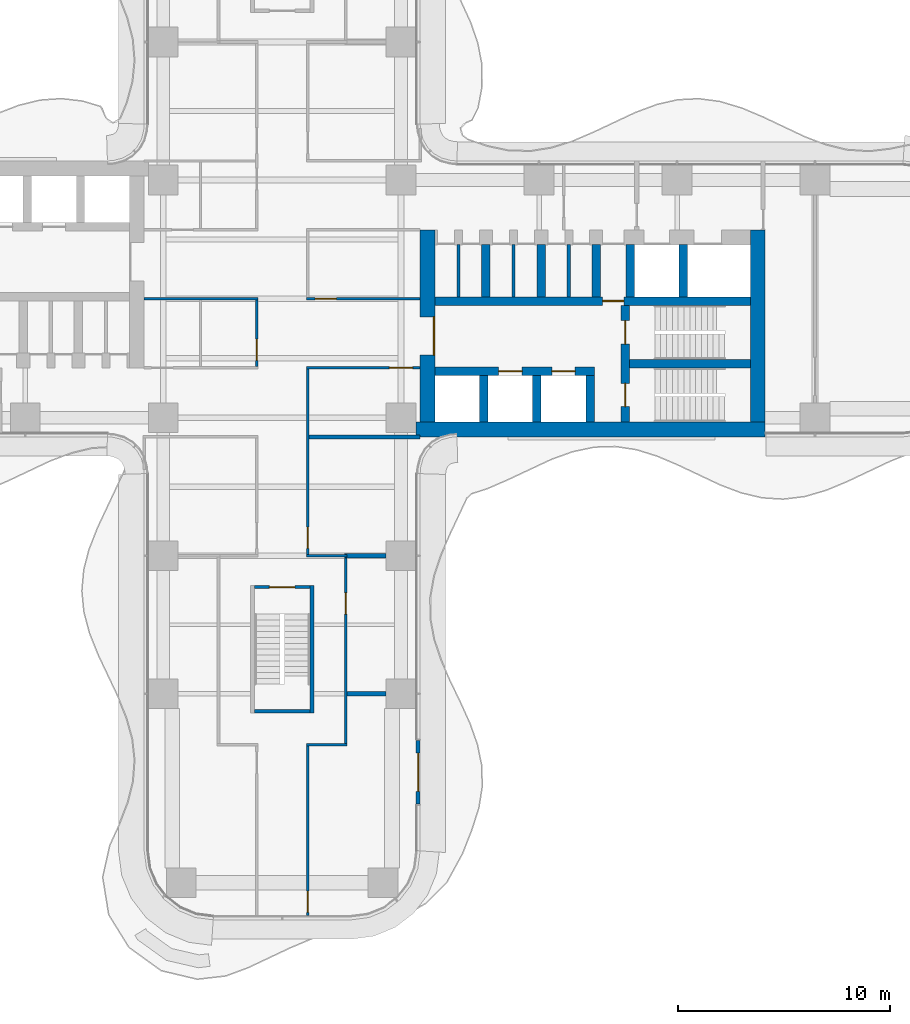
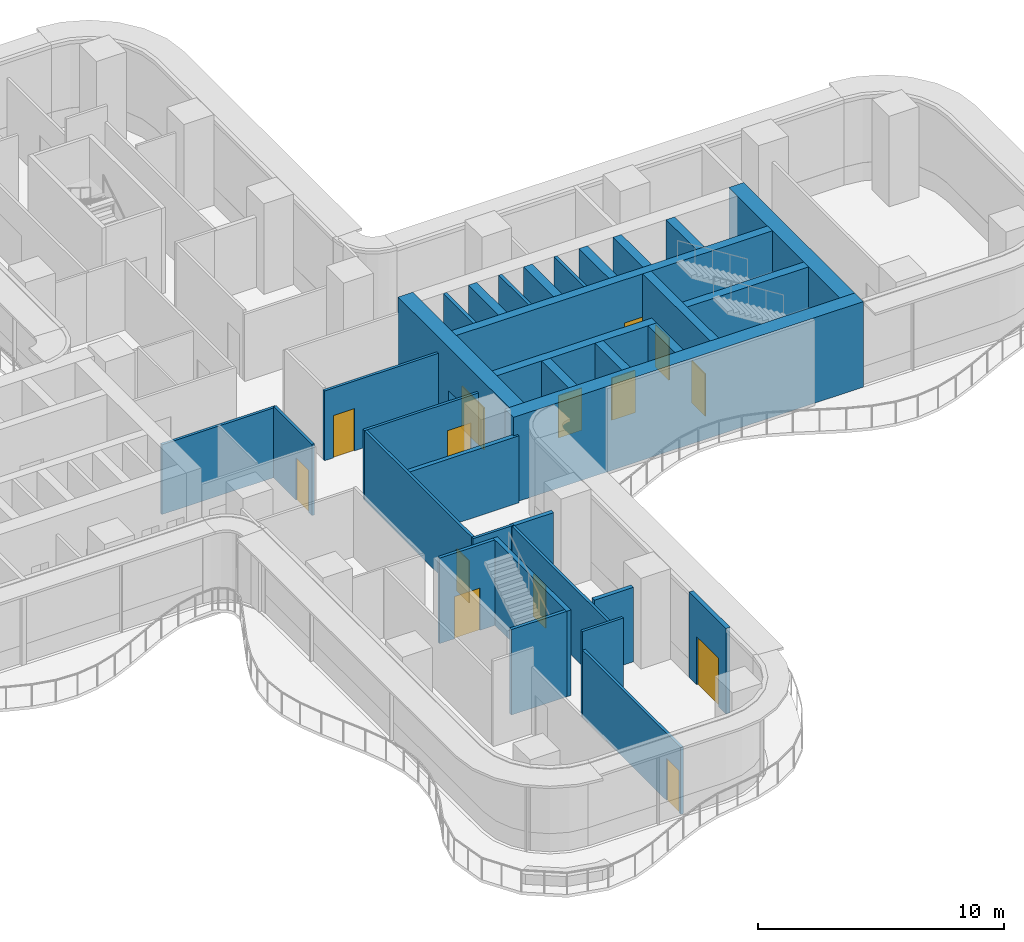
# One storey, part 18 of 23: 34 walls, 14 doors, 14 openings.
"""IFC4 building model written with IfcOpenShell, lengths in metres."""

from ifc_helpers import new_model, si_unit, direction, frame, frame_2d, origin, place, context, subcontext, project, spatial, rectangle, extrude, source, transform, mapped, material, layer, layer_set, type_object, element, fill, save


model = new_model("IFC4")

# Units and contexts
model_context = context("Model", 3, precision=1e-05, world=origin(), true_north=direction((0.0, 1.0)))
body_context = subcontext(model_context, "Body", "Model", "MODEL_VIEW")
ifc_project = project(units=[si_unit("LENGTHUNIT", "METRE"), si_unit("AREAUNIT", "SQUARE_METRE"), si_unit("VOLUMEUNIT", "CUBIC_METRE"), si_unit("PLANEANGLEUNIT", "RADIAN"), si_unit("MASSUNIT", "GRAM", prefix="KILO")], contexts=[model_context])

# Site, building, storey
site_placement = place(None, origin())
site = spatial("IfcSite", under=ifc_project, at=site_placement, CompositionType="ELEMENT")
building_placement = place(site_placement, origin())
building = spatial("IfcBuilding", under=site, at=building_placement, Name="Trellis Farm Tower", CompositionType="ELEMENT")
storey_placement = place(building_placement, frame((0.0, 0.0, 74.5)))
storey = spatial("IfcBuildingStorey", under=building, at=storey_placement, Name="L15", CompositionType="ELEMENT", Elevation=74.5)

# Wall, opening, door
ifc_material_1 = material(Name="Concrete C80/95", Category="concrete")
ifc_layer_1 = layer(ifc_material_1, 0.699951171875)
ifc_layer_set_1 = layer_set([ifc_layer_1], Name="CORE OUTER WALL 700 CONCRETE C80/95")
wall_type_1 = type_object("IfcWallType", Name="CORE OUTER WALL 700 CONCRETE C80/95", PredefinedType="SHEAR", material=ifc_layer_set_1)
shared_shape_1 = source(origin(), body_context, "Body", "SweptSolid", [
    extrude(rectangle(XDim=9.050048828125, YDim=0.699951171875, at=frame_2d((4.52490234375, 0.0))), origin(), (0.0, 0.0, 1.0), 4.25),
])
wall_1_placement = place(storey_placement, frame((6.85009765625, -5.800048828125, 0.0), z_axis=(0.0, 0.0, 1.0), x_axis=(0.0, 1.0, 0.0)))
wall_1 = element("IfcWall", 1, at=wall_1_placement, inside=storey, type_object=wall_type_1, Name="Core wall", PredefinedType="SHEAR", context=body_context, shape_type="MappedRepresentation", body=[
    mapped(shared_shape_1, transform((0.0, 0.0, 0.0))),
])
shared_shape_2 = source(origin(), body_context, "Body", "SweptSolid", [
    extrude(rectangle(XDim=1.800048828125, YDim=2.10009765625, at=frame_2d((0.89990234375, 1.050048828125))), frame((0.0, 0.360107421875, 0.0), z_axis=(0.0, -1.0, 0.0), x_axis=(1.0, 0.0, 0.0)), (0.0, 0.0, 1.0), 0.72021484375),
])
opening_1_placement = place(wall_1_placement, frame((3.14990234375, 0.0, 0.0)))
opening_1 = element("IfcOpeningElement", 2, at=opening_1_placement, cuts=wall_1, Name="Opening DC1", PredefinedType="OPENING", context=body_context, shape_type="MappedRepresentation", body=[
    mapped(shared_shape_2, transform((0.0, 0.0, 0.0))),
])
ifc_material_2 = material(Name="Steel", Category="steel")
door_type_1 = type_object("IfcDoorType", Name="CORE FIRE DOOR DOUBLE 1800 X 2100", OperationType="DOUBLE_DOOR_SINGLE_SWING", PredefinedType="DOOR", material=ifc_material_2)
shared_shape_3 = source(origin(), body_context, "Body", "SweptSolid", [
    extrude(rectangle(XDim=1.800048828125, YDim=2.10009765625, at=frame_2d((0.89990234375, 1.050048828125))), frame((0.0, -0.27490234375, 0.0), z_axis=(0.0, -1.0, 0.0), x_axis=(1.0, 0.0, 0.0)), (0.0, 0.0, 1.0), 0.050048828125),
])
door_1_placement = place(opening_1_placement, origin())
door_1 = element("IfcDoor", 3, at=door_1_placement, inside=storey, type_object=door_type_1, Name="Core door", OperationType="DOUBLE_DOOR_SINGLE_SWING", OverallHeight=2.10009765625, OverallWidth=1.800048828125, PredefinedType="DOOR", context=body_context, shape_type="MappedRepresentation", body=[
    mapped(shared_shape_3, transform((0.0, 0.0, 0.0))),
])
fill(opening_1, door_1)

# Walls
wall_2_placement = place(storey_placement, frame((22.39990234375, -5.800048828125, 0.0), z_axis=(0.0, 0.0, 1.0), x_axis=(0.0, 1.0, 0.0)))
element("IfcWall", 4, at=wall_2_placement, inside=storey, type_object=wall_type_1, Name="Core wall", PredefinedType="SHEAR", context=body_context, shape_type="MappedRepresentation", body=[
    mapped(shared_shape_1, transform((0.0, 0.0, 0.0))),
])
ifc_layer_2 = layer(ifc_material_1, 0.39990234375)
ifc_layer_set_2 = layer_set([ifc_layer_2], Name="CORE INNER WALL 400 CONCRETE C80/95")
wall_type_2 = type_object("IfcWallType", Name="CORE INNER WALL 400 CONCRETE C80/95", PredefinedType="SHEAR", material=ifc_layer_set_2)
shared_shape_4 = source(origin(), body_context, "Body", "SweptSolid", [
    extrude(rectangle(XDim=2.199951171875, YDim=0.39990234375, at=frame_2d((1.10009765625, 0.0))), origin(), (0.0, 0.0, 1.0), 4.25),
])
for number, where, z_axis, x_axis, name in (
    (5, (9.5, -5.800048828125, 0.0), (0.0, 0.0, 1.0), (0.0, 1.0, 0.0), "Core wall"),
    (6, (12.0, -5.800048828125, 0.0), (0.0, 0.0, 1.0), (0.0, 1.0, 0.0), "Core wall"),
    (7, (14.5, -5.800048828125, 0.0), (0.0, 0.0, 1.0), (0.0, 1.0, 0.0), "Core wall"),
):
    element("IfcWall", number, at=place(storey_placement, frame(where, z_axis=z_axis, x_axis=x_axis)), inside=storey, type_object=wall_type_2, Name=name, PredefinedType="SHEAR", context=body_context, shape_type="MappedRepresentation", body=[
        mapped(shared_shape_4, transform((0.0, 0.0, 0.0))),
    ])
shared_shape_5 = source(origin(), body_context, "Body", "SweptSolid", [
    extrude(rectangle(XDim=2.449951171875, YDim=0.39990234375, at=frame_2d((1.22509765625, 0.0))), origin(), (0.0, 0.0, 1.0), 4.25),
])
for number, where, z_axis, x_axis, name in (
    (8, (9.60009765625, 0.10009765625, 0.0), (0.0, 0.0, 1.0), (0.0, 1.0, 0.0), "Core wall"),
    (9, (12.199951171875, 0.10009765625, 0.0), (0.0, 0.0, 1.0), (0.0, 1.0, 0.0), "Core wall"),
    (10, (14.800048828125, 0.10009765625, 0.0), (0.0, 0.0, 1.0), (0.0, 1.0, 0.0), "Core wall"),
    (11, (16.39990234375, 0.10009765625, 0.0), (0.0, 0.0, 1.0), (0.0, 1.0, 0.0), "Core wall"),
    (12, (18.89990234375, 0.10009765625, 0.0), (0.0, 0.0, 1.0), (0.0, 1.0, 0.0), "Core wall"),
):
    element("IfcWall", number, at=place(storey_placement, frame(where, z_axis=z_axis, x_axis=x_axis)), inside=storey, type_object=wall_type_2, Name=name, PredefinedType="SHEAR", context=body_context, shape_type="MappedRepresentation", body=[
        mapped(shared_shape_5, transform((0.0, 0.0, 0.0))),
    ])
shared_shape_6 = source(origin(), body_context, "Body", "SweptSolid", [
    extrude(rectangle(XDim=16.449951171875, YDim=0.699951171875, at=frame_2d((8.22509765625, 0.0))), origin(), (0.0, 0.0, 1.0), 4.25),
])
wall_3_placement = place(storey_placement, frame((6.300048828125, -6.14990234375, 0.0), z_axis=(0.0, 0.0, 1.0), x_axis=(1.0, 0.0, 0.0)))
element("IfcWall", 13, at=wall_3_placement, inside=storey, type_object=wall_type_1, Name="Core wall", PredefinedType="SHEAR", context=body_context, shape_type="MappedRepresentation", body=[
    mapped(shared_shape_6, transform((0.0, 0.0, 0.0))),
])

# Wall, openings, doors
shared_shape_7 = source(origin(), body_context, "Body", "SweptSolid", [
    extrude(rectangle(XDim=7.5, YDim=0.39990234375, at=frame_2d((3.75, 0.0))), origin(), (0.0, 0.0, 1.0), 4.25),
])
wall_4_placement = place(storey_placement, frame((7.199951171875, -3.39990234375, 0.0), z_axis=(0.0, 0.0, 1.0), x_axis=(1.0, 0.0, 0.0)))
wall_4 = element("IfcWall", 14, at=wall_4_placement, inside=storey, type_object=wall_type_2, Name="Core wall", PredefinedType="SHEAR", context=body_context, shape_type="MappedRepresentation", body=[
    mapped(shared_shape_7, transform((0.0, 0.0, 0.0))),
])
shared_shape_8 = source(origin(), body_context, "Body", "SweptSolid", [
    extrude(rectangle(XDim=1.10009765625, YDim=2.10009765625, at=frame_2d((0.550048828125, 1.050048828125))), frame((0.0, 0.2099609375, 0.0), z_axis=(0.0, -1.0, 0.0), x_axis=(1.0, 0.0, 0.0)), (0.0, 0.0, 1.0), 0.419921875),
])
opening_2_placement = place(wall_4_placement, frame((3.0, 0.0, 0.0)))
opening_2 = element("IfcOpeningElement", 15, at=opening_2_placement, cuts=wall_4, Name="Opening LD2", PredefinedType="OPENING", context=body_context, shape_type="MappedRepresentation", body=[
    mapped(shared_shape_8, transform((0.0, 0.0, 0.0))),
])
opening_3_placement = place(wall_4_placement, frame((5.5, 0.0, 0.0)))
opening_3 = element("IfcOpeningElement", 16, at=opening_3_placement, cuts=wall_4, Name="Opening LD3", PredefinedType="OPENING", context=body_context, shape_type="MappedRepresentation", body=[
    mapped(shared_shape_8, transform((0.0, 0.0, 0.0))),
])
ifc_material_3 = material(Name="Stainless steel", Category="steel")
door_type_2 = type_object("IfcDoorType", Name="LIFT LANDING DOOR 1100 X 2100", OperationType="DOUBLE_DOOR_SLIDING", PredefinedType="DOOR", material=ifc_material_3)
shared_shape_9 = source(origin(), body_context, "Body", "SweptSolid", [
    extrude(rectangle(XDim=1.10009765625, YDim=2.10009765625, at=frame_2d((0.550048828125, 1.050048828125))), frame((0.0, 0.02490234375, 0.0), z_axis=(0.0, -1.0, 0.0), x_axis=(1.0, 0.0, 0.0)), (0.0, 0.0, 1.0), 0.050048828125),
])
door_2_placement = place(opening_2_placement, origin())
door_2 = element("IfcDoor", 17, at=door_2_placement, inside=storey, type_object=door_type_2, Name="Lift landing door", OperationType="DOUBLE_DOOR_SLIDING", OverallHeight=2.10009765625, OverallWidth=1.10009765625, PredefinedType="DOOR", context=body_context, shape_type="MappedRepresentation", body=[
    mapped(shared_shape_9, transform((0.0, 0.0, 0.0))),
])
fill(opening_2, door_2)
door_3_placement = place(opening_3_placement, origin())
door_3 = element("IfcDoor", 18, at=door_3_placement, inside=storey, type_object=door_type_2, Name="Lift landing door", OperationType="DOUBLE_DOOR_SLIDING", OverallHeight=2.10009765625, OverallWidth=1.10009765625, PredefinedType="DOOR", context=body_context, shape_type="MappedRepresentation", body=[
    mapped(shared_shape_9, transform((0.0, 0.0, 0.0))),
])
fill(opening_3, door_3)

# Wall, opening, door
shared_shape_10 = source(origin(), body_context, "Body", "SweptSolid", [
    extrude(rectangle(XDim=14.85009765625, YDim=0.39990234375, at=frame_2d((7.425048828125, 0.0))), origin(), (0.0, 0.0, 1.0), 4.25),
])
wall_5_placement = place(storey_placement, frame((7.199951171875, -0.10009765625, 0.0), z_axis=(0.0, 0.0, 1.0), x_axis=(1.0, 0.0, 0.0)))
wall_5 = element("IfcWall", 19, at=wall_5_placement, inside=storey, type_object=wall_type_2, Name="Core wall", PredefinedType="SHEAR", context=body_context, shape_type="MappedRepresentation", body=[
    mapped(shared_shape_10, transform((0.0, 0.0, 0.0))),
])
shared_shape_11 = source(origin(), body_context, "Body", "SweptSolid", [
    extrude(rectangle(XDim=1.0, YDim=2.10009765625, at=frame_2d((0.5, 1.050048828125))), frame((0.0, 0.2099609375, 0.0), z_axis=(0.0, -1.0, 0.0), x_axis=(1.0, 0.0, 0.0)), (0.0, 0.0, 1.0), 0.419921875),
])
opening_4_placement = place(wall_5_placement, frame((7.89990234375, 0.0, 0.0)))
opening_4 = element("IfcOpeningElement", 20, at=opening_4_placement, cuts=wall_5, Name="Opening DC5", PredefinedType="OPENING", context=body_context, shape_type="MappedRepresentation", body=[
    mapped(shared_shape_11, transform((0.0, 0.0, 0.0))),
])
door_type_3 = type_object("IfcDoorType", Name="CORE FIRE DOOR 1000 X 2100", OperationType="NOTDEFINED", PredefinedType="DOOR", material=ifc_material_2)
shared_shape_12 = source(origin(), body_context, "Body", "SweptSolid", [
    extrude(rectangle(XDim=1.0, YDim=2.10009765625, at=frame_2d((0.5, 1.050048828125))), frame((0.0, 0.02490234375, 0.0), z_axis=(0.0, -1.0, 0.0), x_axis=(1.0, 0.0, 0.0)), (0.0, 0.0, 1.0), 0.050048828125),
])
door_4_placement = place(opening_4_placement, origin())
door_4 = element("IfcDoor", 21, at=door_4_placement, inside=storey, type_object=door_type_3, Name="Core door", OperationType="SINGLE_SWING_RIGHT", OverallHeight=2.10009765625, OverallWidth=1.0, PredefinedType="DOOR", context=body_context, shape_type="MappedRepresentation", body=[
    mapped(shared_shape_12, transform((0.0, 0.0, 0.0))),
])
fill(opening_4, door_4)

# Wall, openings, doors
shared_shape_13 = source(origin(), body_context, "Body", "SweptSolid", [
    extrude(rectangle(XDim=5.5, YDim=0.39990234375, at=frame_2d((2.75, 0.0))), origin(), (0.0, 0.0, 1.0), 4.25),
])
wall_6_placement = place(storey_placement, frame((16.14990234375, -5.800048828125, 0.0), z_axis=(0.0, 0.0, 1.0), x_axis=(0.0, 1.0, 0.0)))
wall_6 = element("IfcWall", 22, at=wall_6_placement, inside=storey, type_object=wall_type_2, Name="Core wall", PredefinedType="SHEAR", context=body_context, shape_type="MappedRepresentation", body=[
    mapped(shared_shape_13, transform((0.0, 0.0, 0.0))),
])
opening_5_placement = place(wall_6_placement, frame((0.72509765625, 0.0, 0.0)))
opening_5 = element("IfcOpeningElement", 23, at=opening_5_placement, cuts=wall_6, Name="Opening DC2", PredefinedType="OPENING", context=body_context, shape_type="MappedRepresentation", body=[
    mapped(shared_shape_8, transform((0.0, 0.0, 0.0))),
])
opening_6_placement = place(wall_6_placement, frame((3.675048828125, 0.0, 0.0)))
opening_6 = element("IfcOpeningElement", 24, at=opening_6_placement, cuts=wall_6, Name="Opening DC3", PredefinedType="OPENING", context=body_context, shape_type="MappedRepresentation", body=[
    mapped(shared_shape_8, transform((0.0, 0.0, 0.0))),
])
door_type_4 = type_object("IfcDoorType", Name="CORE FIRE DOOR 1100 X 2100", OperationType="NOTDEFINED", PredefinedType="DOOR", material=ifc_material_2)
door_5_placement = place(opening_5_placement, origin())
door_5 = element("IfcDoor", 25, at=door_5_placement, inside=storey, type_object=door_type_4, Name="Core door", OperationType="SINGLE_SWING_RIGHT", OverallHeight=2.10009765625, OverallWidth=1.10009765625, PredefinedType="DOOR", context=body_context, shape_type="MappedRepresentation", body=[
    mapped(shared_shape_9, transform((0.0, 0.0, 0.0))),
])
fill(opening_5, door_5)
door_6_placement = place(opening_6_placement, origin())
door_6 = element("IfcDoor", 26, at=door_6_placement, inside=storey, type_object=door_type_4, Name="Core door", OperationType="SINGLE_SWING_LEFT", OverallHeight=2.10009765625, OverallWidth=1.10009765625, PredefinedType="DOOR", context=body_context, shape_type="MappedRepresentation", body=[
    mapped(shared_shape_9, transform((0.0, 0.0, 0.0))),
])
fill(opening_6, door_6)

# Walls
shared_shape_14 = source(origin(), body_context, "Body", "SweptSolid", [
    extrude(rectangle(XDim=5.699951171875, YDim=0.39990234375, at=frame_2d((2.85009765625, 0.0))), origin(), (0.0, 0.0, 1.0), 4.25),
])
wall_7_placement = place(storey_placement, frame((16.35009765625, -3.050048828125, 0.0), z_axis=(0.0, 0.0, 1.0), x_axis=(1.0, 0.0, 0.0)))
element("IfcWall", 27, at=wall_7_placement, inside=storey, type_object=wall_type_2, Name="Core wall", PredefinedType="SHEAR", context=body_context, shape_type="MappedRepresentation", body=[
    mapped(shared_shape_14, transform((0.0, 0.0, 0.0))),
])
ifc_material_4 = material(Name="Masonry blockwork", Category="masonry")
ifc_layer_3 = layer(ifc_material_4, 0.14990234375)
ifc_layer_set_3 = layer_set([ifc_layer_3], Name="CORE PARTITION 150 BLOCKWORK")
wall_type_3 = type_object("IfcWallType", Name="CORE PARTITION 150 BLOCKWORK", PredefinedType="PARTITIONING", material=ifc_layer_set_3)
shared_shape_15 = source(origin(), body_context, "Body", "SweptSolid", [
    extrude(rectangle(XDim=2.449951171875, YDim=0.14990234375, at=frame_2d((1.22509765625, 0.0))), origin(), (0.0, 0.0, 1.0), 4.25),
])
for number, where, z_axis, x_axis, name in (
    (28, (8.300048828125, 0.10009765625, 0.0), (0.0, 0.0, 1.0), (0.0, 1.0, 0.0), "Core room partition"),
    (29, (10.89990234375, 0.10009765625, 0.0), (0.0, 0.0, 1.0), (0.0, 1.0, 0.0), "Core room partition"),
    (30, (13.5, 0.10009765625, 0.0), (0.0, 0.0, 1.0), (0.0, 1.0, 0.0), "Core room partition"),
):
    element("IfcWall", number, at=place(storey_placement, frame(where, z_axis=z_axis, x_axis=x_axis)), inside=storey, type_object=wall_type_3, Name=name, PredefinedType="PARTITIONING", context=body_context, shape_type="MappedRepresentation", body=[
        mapped(shared_shape_15, transform((0.0, 0.0, 0.0))),
    ])
ifc_layer_4 = layer(ifc_material_1, 0.199951171875)
ifc_layer_set_4 = layer_set([ifc_layer_4], Name="CORE STAIR ENCLOSURE WALL 200 CONCRETE C80/95")
wall_type_4 = type_object("IfcWallType", Name="CORE STAIR ENCLOSURE WALL 200 CONCRETE C80/95", PredefinedType="SHEAR", material=ifc_layer_set_4)
shared_shape_16 = source(origin(), body_context, "Body", "SweptSolid", [
    extrude(rectangle(XDim=6.0, YDim=0.199951171875, at=frame_2d((3.0, 0.0))), origin(), (0.0, 0.0, 1.0), 4.25),
])
wall_8_placement = place(storey_placement, frame((1.39990234375, -13.5, 0.0), z_axis=(0.0, 0.0, 1.0), x_axis=(0.0, -1.0, 0.0)))
element("IfcWall", 31, at=wall_8_placement, inside=storey, type_object=wall_type_4, Name="Stair enclosure wall", PredefinedType="SHEAR", context=body_context, shape_type="MappedRepresentation", body=[
    mapped(shared_shape_16, transform((0.0, 0.0, 0.0))),
])

# Wall, opening, door
ifc_layer_5 = layer(ifc_material_1, 0.14990234375)
ifc_layer_set_5 = layer_set([ifc_layer_5], Name="CORE STAIR ENCLOSURE WALL 150 CONCRETE C80/95")
wall_type_5 = type_object("IfcWallType", Name="CORE STAIR ENCLOSURE WALL 150 CONCRETE C80/95", PredefinedType="SHEAR", material=ifc_layer_set_5)
shared_shape_17 = source(origin(), body_context, "Body", "SweptSolid", [
    extrude(rectangle(XDim=2.60009765625, YDim=0.14990234375, at=frame_2d((1.300048828125, 0.0))), origin(), (0.0, 0.0, 1.0), 4.25),
])
wall_9_placement = place(storey_placement, frame((1.300048828125, -13.574951171875, 0.0), z_axis=(0.0, 0.0, 1.0), x_axis=(-1.0, 0.0, 0.0)))
wall_9 = element("IfcWall", 32, at=wall_9_placement, inside=storey, type_object=wall_type_5, Name="Stair enclosure wall", PredefinedType="SHEAR", context=body_context, shape_type="MappedRepresentation", body=[
    mapped(shared_shape_17, transform((0.0, 0.0, 0.0))),
])
shared_shape_18 = source(origin(), body_context, "Body", "SweptSolid", [
    extrude(rectangle(XDim=1.199951171875, YDim=2.10009765625, at=frame_2d((0.60009765625, 1.050048828125))), frame((0.0, 0.0849609375, 0.0), z_axis=(0.0, -1.0, 0.0), x_axis=(1.0, 0.0, 0.0)), (0.0, 0.0, 1.0), 0.169921875),
])
opening_7_placement = place(wall_9_placement, frame((0.699951171875, 0.0, 0.0)))
opening_7 = element("IfcOpeningElement", 33, at=opening_7_placement, cuts=wall_9, Name="Opening DC174", PredefinedType="OPENING", context=body_context, shape_type="MappedRepresentation", body=[
    mapped(shared_shape_18, transform((0.0, 0.0, 0.0))),
])
door_type_5 = type_object("IfcDoorType", Name="CORE FIRE DOOR 1200 X 2100", OperationType="NOTDEFINED", PredefinedType="DOOR", material=ifc_material_2)
shared_shape_19 = source(origin(), body_context, "Body", "SweptSolid", [
    extrude(rectangle(XDim=1.199951171875, YDim=2.10009765625, at=frame_2d((0.60009765625, 1.050048828125))), frame((0.0, 0.02490234375, 0.0), z_axis=(0.0, -1.0, 0.0), x_axis=(1.0, 0.0, 0.0)), (0.0, 0.0, 1.0), 0.050048828125),
])
door_7_placement = place(opening_7_placement, origin())
door_7 = element("IfcDoor", 34, at=door_7_placement, inside=storey, type_object=door_type_5, Name="Core door", OperationType="SINGLE_SWING_RIGHT", OverallHeight=2.10009765625, OverallWidth=1.199951171875, PredefinedType="DOOR", context=body_context, shape_type="MappedRepresentation", body=[
    mapped(shared_shape_19, transform((0.0, 0.0, 0.0))),
])
fill(opening_7, door_7)

# Wall
wall_10_placement = place(storey_placement, frame((1.300048828125, -19.425048828125, 0.0), z_axis=(0.0, 0.0, 1.0), x_axis=(-1.0, 0.0, 0.0)))
element("IfcWall", 35, at=wall_10_placement, inside=storey, type_object=wall_type_5, Name="Stair enclosure wall", PredefinedType="SHEAR", context=body_context, shape_type="MappedRepresentation", body=[
    mapped(shared_shape_17, transform((0.0, 0.0, 0.0))),
])

# Wall, opening, door
ifc_material_5 = material(Name="Sandstone faced insulated wall", Category="masonry")
ifc_layer_6 = layer(ifc_material_5, 0.199951171875)
ifc_layer_set_6 = layer_set([ifc_layer_6], Name="EXTERNAL INFILL WALL 200")
wall_type_6 = type_object("IfcWallType", Name="EXTERNAL INFILL WALL 200", PredefinedType="SOLIDWALL", material=ifc_layer_set_6)
shared_shape_20 = source(origin(), body_context, "Body", "SweptSolid", [
    extrude(rectangle(XDim=3.0, YDim=0.199951171875, at=frame_2d((1.5, 0.0))), origin(), (0.0, 0.0, 1.0), 4.25),
])
wall_11_placement = place(storey_placement, frame((6.39990234375, -23.800048828125, 0.0), z_axis=(0.0, 0.0, 1.0), x_axis=(0.0, 1.0, 0.0)))
wall_11 = element("IfcWall", 36, at=wall_11_placement, inside=storey, type_object=wall_type_6, Name="EW1 01", PredefinedType="SOLIDWALL", context=body_context, shape_type="MappedRepresentation", body=[
    mapped(shared_shape_20, transform((0.0, 0.0, 0.0))),
])
shared_shape_21 = source(origin(), body_context, "Body", "SweptSolid", [
    extrude(rectangle(XDim=1.800048828125, YDim=2.39990234375, at=frame_2d((0.89990234375, 1.199951171875))), frame((0.0, 0.110107421875, 0.0), z_axis=(0.0, -1.0, 0.0), x_axis=(1.0, 0.0, 0.0)), (0.0, 0.0, 1.0), 0.22021484375),
])
opening_8_placement = place(wall_11_placement, frame((0.60009765625, 0.0, 0.0)))
opening_8 = element("IfcOpeningElement", 37, at=opening_8_placement, cuts=wall_11, Name="Opening ED1", PredefinedType="OPENING", context=body_context, shape_type="MappedRepresentation", body=[
    mapped(shared_shape_21, transform((0.0, 0.0, 0.0))),
])
ifc_material_6 = material(Name="Aluminium framed glazed door", Category="aluminium")
door_type_6 = type_object("IfcDoorType", Name="BALCONY DOOR 1800x2400", OperationType="DOUBLE_DOOR_SINGLE_SWING", PredefinedType="DOOR", material=ifc_material_6)
shared_shape_22 = source(origin(), body_context, "Body", "SweptSolid", [
    extrude(rectangle(XDim=1.800048828125, YDim=2.39990234375, at=frame_2d((0.89990234375, 1.199951171875))), frame((0.0, 0.02490234375, 0.0), z_axis=(0.0, -1.0, 0.0), x_axis=(1.0, 0.0, 0.0)), (0.0, 0.0, 1.0), 0.050048828125),
])
door_8_placement = place(opening_8_placement, origin())
door_8 = element("IfcDoor", 38, at=door_8_placement, inside=storey, type_object=door_type_6, Name="Balcony door", OperationType="DOUBLE_DOOR_SINGLE_SWING", OverallHeight=2.39990234375, OverallWidth=1.800048828125, PredefinedType="DOOR", context=body_context, shape_type="MappedRepresentation", body=[
    mapped(shared_shape_22, transform((0.0, 0.0, 0.0))),
])
fill(opening_8, door_8)

ifc_material_7 = material(Name="Plasterboard on steel studs, mineral wool", Category="steel")
ifc_layer_7 = layer(ifc_material_7, 0.125)
ifc_layer_set_7 = layer_set([ifc_layer_7], Name="PARTITION 125 STUD EI 60")
wall_type_7 = type_object("IfcWallType", Name="PARTITION 125 STUD EI 60", PredefinedType="PARTITIONING", material=ifc_layer_set_7)
shared_shape_23 = source(origin(), body_context, "Body", "SweptSolid", [
    extrude(rectangle(XDim=3.125, YDim=0.125, at=frame_2d((1.5625, 0.0))), origin(), (0.0, 0.0, 1.0), 3.54638671875),
])
wall_12_placement = place(storey_placement, frame((-1.199951171875, -0.0625, 0.0), z_axis=(0.0, 0.0, 1.0), x_axis=(0.0, -1.0, 0.0)))
wall_12 = element("IfcWall", 39, at=wall_12_placement, inside=storey, type_object=wall_type_7, Name="Partition PW1", PredefinedType="PARTITIONING", context=body_context, shape_type="MappedRepresentation", body=[
    mapped(shared_shape_23, transform((0.0, 0.0, 0.0))),
])
shared_shape_24 = source(origin(), body_context, "Body", "SweptSolid", [
    extrude(rectangle(XDim=1.0, YDim=2.10009765625, at=frame_2d((0.5, 1.050048828125))), frame((0.0, 0.072509765625, 0.0), z_axis=(0.0, -1.0, 0.0), x_axis=(1.0, 0.0, 0.0)), (0.0, 0.0, 1.0), 0.14501953125),
])
opening_9_placement = place(wall_12_placement, frame((1.83740234375, 0.0, 0.0)))
opening_9 = element("IfcOpeningElement", 40, at=opening_9_placement, cuts=wall_12, Name="Opening D105", PredefinedType="OPENING", context=body_context, shape_type="MappedRepresentation", body=[
    mapped(shared_shape_24, transform((0.0, 0.0, 0.0))),
])
ifc_material_8 = material(Name="Fire-rated timber door leaf in a hollow metal frame", Category="wood")
door_type_7 = type_object("IfcDoorType", Name="DOOR 1000x2100 FD30S", OperationType="NOTDEFINED", PredefinedType="DOOR", material=ifc_material_8)
door_9_placement = place(opening_9_placement, origin())
door_9 = element("IfcDoor", 41, at=door_9_placement, inside=storey, type_object=door_type_7, Name="Door D105", OperationType="SINGLE_SWING_RIGHT", OverallHeight=2.10009765625, OverallWidth=1.0, PredefinedType="DOOR", context=body_context, shape_type="MappedRepresentation", body=[
    mapped(shared_shape_12, transform((0.0, 0.0, 0.0))),
])
fill(opening_9, door_9)

# Wall
shared_shape_25 = source(origin(), body_context, "Body", "SweptSolid", [
    extrude(rectangle(XDim=1.925048828125, YDim=0.125, at=frame_2d((0.96240234375, 0.0))), origin(), (0.0, 0.0, 1.0), 3.4677734375),
])
wall_13_placement = place(storey_placement, frame((1.137451171875, -12.10009765625, 0.0), z_axis=(0.0, 0.0, 1.0), x_axis=(1.0, 0.0, 0.0)))
element("IfcWall", 42, at=wall_13_placement, inside=storey, type_object=wall_type_7, Name="Partition PW1", PredefinedType="PARTITIONING", context=body_context, shape_type="MappedRepresentation", body=[
    mapped(shared_shape_25, transform((0.0, 0.0, 0.0))),
])

# Wall, opening, door
shared_shape_26 = source(origin(), body_context, "Body", "SweptSolid", [
    extrude(rectangle(XDim=5.362548828125, YDim=0.125, at=frame_2d((2.68115234375, 0.0))), origin(), (0.0, 0.0, 1.0), 3.4677734375),
])
wall_14_placement = place(storey_placement, frame((6.5, -3.25, 0.0), z_axis=(0.0, 0.0, 1.0), x_axis=(-1.0, 0.0, 0.0)))
wall_14 = element("IfcWall", 43, at=wall_14_placement, inside=storey, type_object=wall_type_7, Name="Partition PW1", PredefinedType="PARTITIONING", context=body_context, shape_type="MappedRepresentation", body=[
    mapped(shared_shape_26, transform((0.0, 0.0, 0.0))),
])
shared_shape_27 = source(origin(), body_context, "Body", "SweptSolid", [
    extrude(rectangle(XDim=1.10009765625, YDim=2.10009765625, at=frame_2d((0.550048828125, 1.050048828125))), frame((0.0, 0.072509765625, 0.0), z_axis=(0.0, -1.0, 0.0), x_axis=(1.0, 0.0, 0.0)), (0.0, 0.0, 1.0), 0.14501953125),
])
opening_10_placement = place(wall_14_placement, frame((0.35009765625, 0.0, 0.0)))
opening_10 = element("IfcOpeningElement", 44, at=opening_10_placement, cuts=wall_14, Name="Opening D501", PredefinedType="OPENING", context=body_context, shape_type="MappedRepresentation", body=[
    mapped(shared_shape_27, transform((0.0, 0.0, 0.0))),
])
door_type_8 = type_object("IfcDoorType", Name="DOOR 1100x2100 FD30S", OperationType="NOTDEFINED", PredefinedType="DOOR", material=ifc_material_8)
door_10_placement = place(opening_10_placement, origin())
door_10 = element("IfcDoor", 45, at=door_10_placement, inside=storey, type_object=door_type_8, Name="Door D501", OperationType="SINGLE_SWING_LEFT", OverallHeight=2.10009765625, OverallWidth=1.10009765625, PredefinedType="DOOR", context=body_context, shape_type="MappedRepresentation", body=[
    mapped(shared_shape_9, transform((0.0, 0.0, 0.0))),
])
fill(opening_10, door_10)

# Wall
wall_15_placement = place(storey_placement, frame((-1.137451171875, 0.0, 0.0), z_axis=(0.0, 0.0, 1.0), x_axis=(-1.0, 0.0, 0.0)))
element("IfcWall", 46, at=wall_15_placement, inside=storey, type_object=wall_type_7, Name="Partition PW1", PredefinedType="PARTITIONING", context=body_context, shape_type="MappedRepresentation", body=[
    mapped(shared_shape_26, transform((0.0, 0.0, 0.0))),
])

# Wall, opening, door
wall_16_placement = place(storey_placement, frame((6.5, 0.0, 0.0), z_axis=(0.0, 0.0, 1.0), x_axis=(-1.0, 0.0, 0.0)))
wall_16 = element("IfcWall", 47, at=wall_16_placement, inside=storey, type_object=wall_type_7, Name="Partition PW1", PredefinedType="PARTITIONING", context=body_context, shape_type="MappedRepresentation", body=[
    mapped(shared_shape_26, transform((0.0, 0.0, 0.0))),
])
opening_11_placement = place(wall_16_placement, frame((3.949951171875, 0.0, 0.0)))
opening_11 = element("IfcOpeningElement", 48, at=opening_11_placement, cuts=wall_16, Name="Opening D106", PredefinedType="OPENING", context=body_context, shape_type="MappedRepresentation", body=[
    mapped(shared_shape_24, transform((0.0, 0.0, 0.0))),
])
door_11_placement = place(opening_11_placement, origin())
door_11 = element("IfcDoor", 49, at=door_11_placement, inside=storey, type_object=door_type_7, Name="Door D106", OperationType="SINGLE_SWING_RIGHT", OverallHeight=2.10009765625, OverallWidth=1.0, PredefinedType="DOOR", context=body_context, shape_type="MappedRepresentation", body=[
    mapped(shared_shape_12, transform((0.0, 0.0, 0.0))),
])
fill(opening_11, door_11)

# Wall
ifc_material_9 = material(Name="Lightweight blockwork, plastered", Category="masonry")
ifc_layer_8 = layer(ifc_material_9, 0.199951171875)
ifc_layer_set_8 = layer_set([ifc_layer_8], Name="BLOCK WALL 200 EI 120")
wall_type_8 = type_object("IfcWallType", Name="BLOCK WALL 200 EI 120", PredefinedType="PARTITIONING", material=ifc_layer_set_8)
shared_shape_28 = source(origin(), body_context, "Body", "SweptSolid", [
    extrude(rectangle(XDim=1.96240234375, YDim=0.199951171875, at=frame_2d((0.981201171875, 0.0))), origin(), (0.0, 0.0, 1.0), 3.4677734375),
])
wall_17_placement = place(storey_placement, frame((2.9375, -12.10009765625, 0.0), z_axis=(0.0, 0.0, 1.0), x_axis=(1.0, 0.0, 0.0)))
element("IfcWall", 50, at=wall_17_placement, inside=storey, type_object=wall_type_8, Name="Partition PW3", PredefinedType="PARTITIONING", context=body_context, shape_type="MappedRepresentation", body=[
    mapped(shared_shape_28, transform((0.0, 0.0, 0.0))),
])

# Wall, opening, door
shared_shape_29 = source(origin(), body_context, "Body", "SweptSolid", [
    extrude(rectangle(XDim=8.72509765625, YDim=0.125, at=frame_2d((4.362548828125, 0.0))), origin(), (0.0, 0.0, 1.0), 3.4677734375),
])
wall_18_placement = place(storey_placement, frame((1.199951171875, -3.3125, 0.0), z_axis=(0.0, 0.0, 1.0), x_axis=(0.0, -1.0, 0.0)))
wall_18 = element("IfcWall", 51, at=wall_18_placement, inside=storey, type_object=wall_type_7, Name="Partition PW1", PredefinedType="PARTITIONING", context=body_context, shape_type="MappedRepresentation", body=[
    mapped(shared_shape_29, transform((0.0, 0.0, 0.0))),
])
opening_12_placement = place(wall_18_placement, frame((7.4375, 0.0, 0.0)))
opening_12 = element("IfcOpeningElement", 52, at=opening_12_placement, cuts=wall_18, Name="Opening D302", PredefinedType="OPENING", context=body_context, shape_type="MappedRepresentation", body=[
    mapped(shared_shape_24, transform((0.0, 0.0, 0.0))),
])
door_type_9 = type_object("IfcDoorType", Name="DOOR 1000x2100 FD60", OperationType="NOTDEFINED", PredefinedType="DOOR", material=ifc_material_8)
door_12_placement = place(opening_12_placement, origin())
door_12 = element("IfcDoor", 53, at=door_12_placement, inside=storey, type_object=door_type_9, Name="Door D302", OperationType="SINGLE_SWING_RIGHT", OverallHeight=2.10009765625, OverallWidth=1.0, PredefinedType="DOOR", context=body_context, shape_type="MappedRepresentation", body=[
    mapped(shared_shape_12, transform((0.0, 0.0, 0.0))),
])
fill(opening_12, door_12)

# Wall
shared_shape_30 = source(origin(), body_context, "Body", "SweptSolid", [
    extrude(rectangle(XDim=5.237548828125, YDim=0.199951171875, at=frame_2d((2.61865234375, 0.0))), origin(), (0.0, 0.0, 1.0), 3.330078125),
])
wall_19_placement = place(storey_placement, frame((1.262451171875, -6.5, 0.0), z_axis=(0.0, 0.0, 1.0), x_axis=(1.0, 0.0, 0.0)))
element("IfcWall", 54, at=wall_19_placement, inside=storey, type_object=wall_type_8, Name="Partition PW3", PredefinedType="PARTITIONING", context=body_context, shape_type="MappedRepresentation", body=[
    mapped(shared_shape_30, transform((0.0, 0.0, 0.0))),
])

# Wall, opening, door
shared_shape_31 = source(origin(), body_context, "Body", "SweptSolid", [
    extrude(rectangle(XDim=7.987548828125, YDim=0.125, at=frame_2d((3.99365234375, 0.0))), origin(), (0.0, 0.0, 1.0), 3.330078125),
])
wall_20_placement = place(storey_placement, frame((1.199951171875, -21.0625, 0.0), z_axis=(0.0, 0.0, 1.0), x_axis=(0.0, -1.0, 0.0)))
wall_20 = element("IfcWall", 55, at=wall_20_placement, inside=storey, type_object=wall_type_7, Name="Partition PW1", PredefinedType="PARTITIONING", context=body_context, shape_type="MappedRepresentation", body=[
    mapped(shared_shape_31, transform((0.0, 0.0, 0.0))),
])
opening_13_placement = place(wall_20_placement, frame((6.83740234375, 0.0, 0.0)))
opening_13 = element("IfcOpeningElement", 56, at=opening_13_placement, cuts=wall_20, Name="Opening D101", PredefinedType="OPENING", context=body_context, shape_type="MappedRepresentation", body=[
    mapped(shared_shape_24, transform((0.0, 0.0, 0.0))),
])
door_13_placement = place(opening_13_placement, origin())
door_13 = element("IfcDoor", 57, at=door_13_placement, inside=storey, type_object=door_type_7, Name="Door D101", OperationType="SINGLE_SWING_RIGHT", OverallHeight=2.10009765625, OverallWidth=1.0, PredefinedType="DOOR", context=body_context, shape_type="MappedRepresentation", body=[
    mapped(shared_shape_12, transform((0.0, 0.0, 0.0))),
])
fill(opening_13, door_13)

shared_shape_32 = source(origin(), body_context, "Body", "SweptSolid", [
    extrude(rectangle(XDim=8.737548828125, YDim=0.125, at=frame_2d((4.36865234375, 0.0))), origin(), (0.0, 0.0, 1.0), 3.4677734375),
])
wall_21_placement = place(storey_placement, frame((3.0, -12.199951171875, 0.0), z_axis=(0.0, 0.0, 1.0), x_axis=(0.0, -1.0, 0.0)))
wall_21 = element("IfcWall", 58, at=wall_21_placement, inside=storey, type_object=wall_type_7, Name="Partition PW1", PredefinedType="PARTITIONING", context=body_context, shape_type="MappedRepresentation", body=[
    mapped(shared_shape_32, transform((0.0, 0.0, 0.0))),
])
opening_14_placement = place(wall_21_placement, frame((1.64990234375, 0.0, 0.0)))
opening_14 = element("IfcOpeningElement", 59, at=opening_14_placement, cuts=wall_21, Name="Opening D301", PredefinedType="OPENING", context=body_context, shape_type="MappedRepresentation", body=[
    mapped(shared_shape_24, transform((0.0, 0.0, 0.0))),
])
door_14_placement = place(opening_14_placement, origin())
door_14 = element("IfcDoor", 60, at=door_14_placement, inside=storey, type_object=door_type_9, Name="Door D301", OperationType="SINGLE_SWING_LEFT", OverallHeight=2.10009765625, OverallWidth=1.0, PredefinedType="DOOR", context=body_context, shape_type="MappedRepresentation", body=[
    mapped(shared_shape_12, transform((0.0, 0.0, 0.0))),
])
fill(opening_14, door_14)

# Walls
shared_shape_33 = source(origin(), body_context, "Body", "SweptSolid", [
    extrude(rectangle(XDim=1.925048828125, YDim=0.125, at=frame_2d((0.96240234375, 0.0))), origin(), (0.0, 0.0, 1.0), 4.25),
])
wall_22_placement = place(storey_placement, frame((3.0625, -21.0, 0.0), z_axis=(0.0, 0.0, 1.0), x_axis=(-1.0, 0.0, 0.0)))
element("IfcWall", 61, at=wall_22_placement, inside=storey, type_object=wall_type_7, Name="Partition PW1", PredefinedType="PARTITIONING", context=body_context, shape_type="MappedRepresentation", body=[
    mapped(shared_shape_33, transform((0.0, 0.0, 0.0))),
])
shared_shape_34 = source(origin(), body_context, "Body", "SweptSolid", [
    extrude(rectangle(XDim=1.83740234375, YDim=0.199951171875, at=frame_2d((0.918701171875, 0.0))), origin(), (0.0, 0.0, 1.0), 3.697021484375),
])
wall_23_placement = place(storey_placement, frame((3.0625, -18.60009765625, 0.0), z_axis=(0.0, 0.0, 1.0), x_axis=(1.0, 0.0, 0.0)))
element("IfcWall", 62, at=wall_23_placement, inside=storey, type_object=wall_type_8, Name="Partition PW3", PredefinedType="PARTITIONING", context=body_context, shape_type="MappedRepresentation", body=[
    mapped(shared_shape_34, transform((0.0, 0.0, 0.0))),
])

save(model, "model.ifc")
